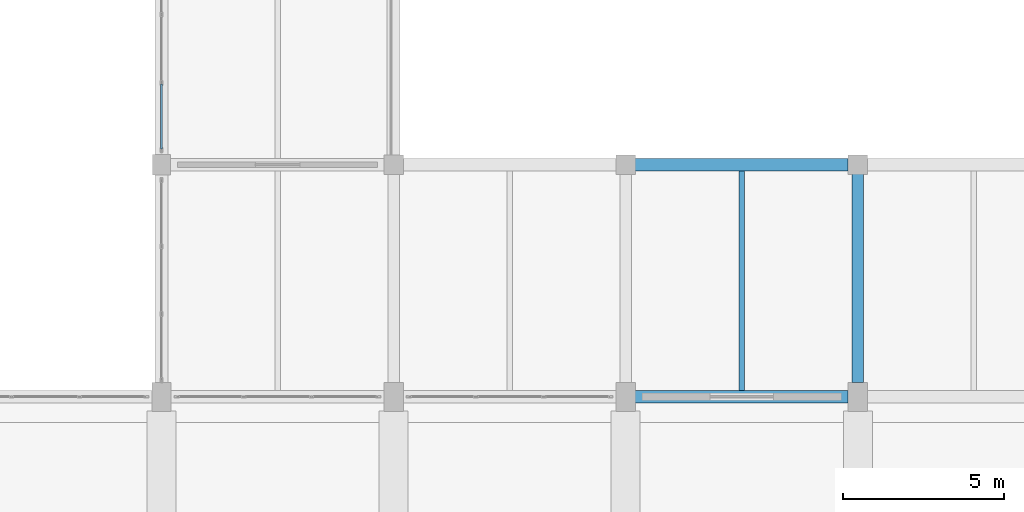
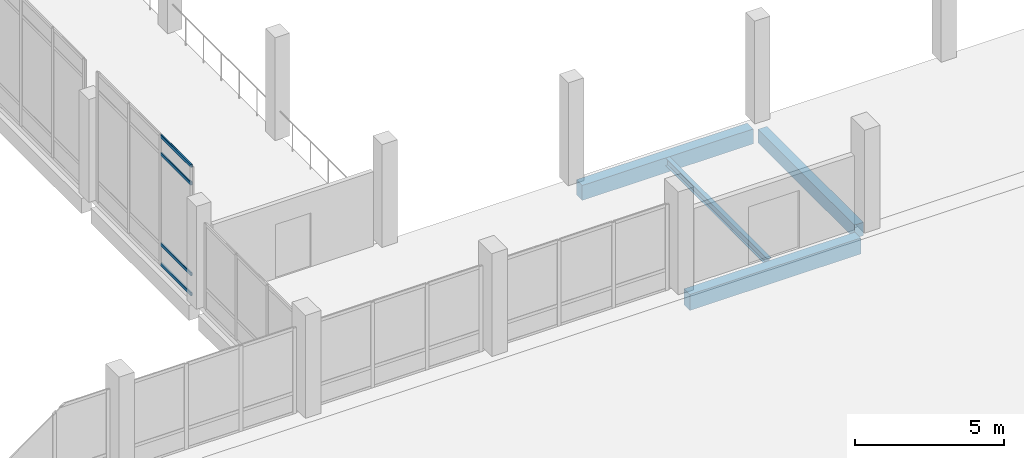
# One storey, part 90 of 158: 4 beams, 4 members, 1 element without a shape of its own.
"""IFC4 building model written with IfcOpenShell, lengths in metres."""

from ifc_helpers import new_model, si_unit, direction, frame, origin, origin_2d, place, context, subcontext, project, spatial, rectangle, hollow_rectangle, i_section, extrude, material, material_profile, profile_set, type_object, element, aggregate, save


model = new_model("IFC4")

# Units and contexts
model_context = context("Model", 3, precision=1e-05, world=origin(), true_north=direction((0.0, 1.0)))
body_context = subcontext(model_context, "Body", "Model", "MODEL_VIEW")
ifc_project = project(units=[si_unit("LENGTHUNIT", "METRE"), si_unit("AREAUNIT", "SQUARE_METRE"), si_unit("VOLUMEUNIT", "CUBIC_METRE"), si_unit("PLANEANGLEUNIT", "RADIAN"), si_unit("MASSUNIT", "GRAM", prefix="KILO")], contexts=[model_context])

# Site, building, storey
site_placement = place(None, origin())
site = spatial("IfcSite", under=ifc_project, at=site_placement, CompositionType="ELEMENT")
building_placement = place(site_placement, origin())
building = spatial("IfcBuilding", under=site, at=building_placement, Name="Lusvemor Sports Hall", CompositionType="ELEMENT")
storey_placement = place(building_placement, frame((0.0, 0.0, 10.800048828125)))
storey = spatial("IfcBuildingStorey", under=building, at=storey_placement, Name="L02", CompositionType="ELEMENT", Elevation=10.800048828125)

# Beams
ifc_material_1 = material(Name="Concrete C40/50", Category="concrete")
ifc_material_profile_1 = material_profile(ifc_material_1, rectangle(XDim=0.35009765625, YDim=0.550048828125, at=origin_2d()), Name="RC350x550")
ifc_profile_set_1 = profile_set([ifc_material_profile_1], Name="Concrete C40/50")
beam_type_1 = type_object("IfcBeamType", Name="BEAM_RC_550", PredefinedType="BEAM", material=ifc_profile_set_1)
beam_1_placement = place(storey_placement, frame((154.800048828125, 40.0458984375, -0.53515625), z_axis=(0.0, 1.0, 0.0), x_axis=(-1.0, 0.0, 0.0)))
element("IfcBeam", 1, at=beam_1_placement, inside=storey, type_object=beam_type_1, Name="Beam L02 18:E-F", PredefinedType="BEAM", context=body_context, shape_type="SweptSolid", body=[
    extrude(rectangle(XDim=0.35009765625, YDim=0.550048828125, at=origin_2d()), origin(), (0.0, 0.0, 1.0), 6.4580078125),
])
ifc_material_2 = material(Name="Concrete C40/50", Category="concrete")
ifc_material_profile_2 = material_profile(ifc_material_2, rectangle(XDim=0.39990234375, YDim=0.64990234375, at=origin_2d()), Name="RC400x650")
ifc_profile_set_2 = profile_set([ifc_material_profile_2], Name="Concrete C40/50")
beam_type_2 = type_object("IfcBeamType", Name="BEAM_RC_650", PredefinedType="BEAM", material=ifc_profile_set_2)
beam_2_placement = place(storey_placement, frame((147.89599609375, 39.60009765625, -0.675048828125), z_axis=(1.0, 0.0, 0.0), x_axis=(0.0, 1.0, 0.0)))
element("IfcBeam", 2, at=beam_2_placement, inside=storey, type_object=beam_type_2, Name="Beam L02 E:17-18", PredefinedType="BEAM", context=body_context, shape_type="SweptSolid", body=[
    extrude(rectangle(XDim=0.39990234375, YDim=0.64990234375, at=origin_2d()), origin(), (0.0, 0.0, 1.0), 6.60791015625),
])

# Curtain wall, members
ifc_material_3 = material(Name="Thermally broken bronze-anodized aluminium", Category="aluminium")
curtain_wall_type = type_object("IfcCurtainWallType", Name="CW_CLIMB_D", PredefinedType="NOTDEFINED", material=ifc_material_3)
curtain_wall_placement = place(storey_placement, origin())
curtain_wall = element("IfcCurtainWall", 3, at=curtain_wall_placement, inside=storey, type_object=curtain_wall_type, Name="Curtain Wall CW-V3W-L02-0", PredefinedType="NOTDEFINED")
ifc_material_4 = material(Name="Thermally broken bronze-anodized aluminium", Category="aluminium")
ifc_material_profile_3 = material_profile(ifc_material_4, hollow_rectangle(XDim=0.06005859375, YDim=0.135009765625, WallThickness=0.00390625, InnerFilletRadius=0.00390625, OuterFilletRadius=0.008056640625, at=origin_2d()), Name="CWTRN135x60x4")
ifc_profile_set_3 = profile_set([ifc_material_profile_3], Name="Thermally broken bronze-anodized aluminium")
member_type = type_object("IfcMemberType", Name="CW_TRN_B", PredefinedType="USERDEFINED", material=ifc_profile_set_3)
member_1_placement = place(storey_placement, frame((133.199951171875, 47.284912109375, 0.030029296875), z_axis=(0.0, 1.0, 0.0), x_axis=(-1.0, 0.0, 0.0)))
member_1 = element("IfcMember", 4, at=member_1_placement, type_object=member_type, Name="CW04 transom 1.1", ObjectType="TRANSOM", PredefinedType="USERDEFINED", context=body_context, shape_type="SweptSolid", body=[
    extrude(hollow_rectangle(XDim=0.06005859375, YDim=0.135009765625, WallThickness=0.00390625, InnerFilletRadius=0.00390625, OuterFilletRadius=0.008056640625, at=origin_2d()), origin(), (0.0, 0.0, 1.0), 2.022705078125),
])
member_2_placement = place(storey_placement, frame((133.199951171875, 47.284912109375, 0.849853515625), z_axis=(0.0, 1.0, 0.0), x_axis=(-1.0, 0.0, 0.0)))
member_2 = element("IfcMember", 5, at=member_2_placement, type_object=member_type, Name="CW04 transom 1.2", ObjectType="TRANSOM", PredefinedType="USERDEFINED", context=body_context, shape_type="SweptSolid", body=[
    extrude(hollow_rectangle(XDim=0.06005859375, YDim=0.135009765625, WallThickness=0.00390625, InnerFilletRadius=0.00390625, OuterFilletRadius=0.008056640625, at=origin_2d()), origin(), (0.0, 0.0, 1.0), 2.022705078125),
])
member_3_placement = place(storey_placement, frame((133.199951171875, 47.284912109375, 4.550048828125), z_axis=(0.0, 1.0, 0.0), x_axis=(-1.0, 0.0, 0.0)))
member_3 = element("IfcMember", 6, at=member_3_placement, type_object=member_type, Name="CW04 transom 1.3", ObjectType="TRANSOM", PredefinedType="USERDEFINED", context=body_context, shape_type="SweptSolid", body=[
    extrude(hollow_rectangle(XDim=0.06005859375, YDim=0.135009765625, WallThickness=0.00390625, InnerFilletRadius=0.00390625, OuterFilletRadius=0.008056640625, at=origin_2d()), origin(), (0.0, 0.0, 1.0), 2.022705078125),
])
member_4_placement = place(storey_placement, frame((133.199951171875, 47.284912109375, 5.27001953125), z_axis=(0.0, 1.0, 0.0), x_axis=(-1.0, 0.0, 0.0)))
member_4 = element("IfcMember", 7, at=member_4_placement, type_object=member_type, Name="CW04 transom 1.4", ObjectType="TRANSOM", PredefinedType="USERDEFINED", context=body_context, shape_type="SweptSolid", body=[
    extrude(hollow_rectangle(XDim=0.06005859375, YDim=0.135009765625, WallThickness=0.00390625, InnerFilletRadius=0.00390625, OuterFilletRadius=0.008056640625, at=origin_2d()), origin(), (0.0, 0.0, 1.0), 2.022705078125),
])
aggregate(curtain_wall, [member_1, member_2, member_3, member_4])

# Beams
ifc_material_5 = material(Name="Steel S355", Category="steel")
ifc_material_profile_4 = material_profile(ifc_material_5, i_section(OverallWidth=0.1669921875, OverallDepth=0.31689453125, WebThickness=0.007568359375, FlangeThickness=0.01318359375, FilletRadius=0.014892578125, at=origin_2d()), Name="W310x52.0")
ifc_profile_set_4 = profile_set([ifc_material_profile_4], Name="Steel S355")
beam_type_3 = type_object("IfcBeamType", Name="JOIST_ST_310M", PredefinedType="JOIST", material=ifc_profile_set_4)
beam_3_placement = place(storey_placement, frame((151.199951171875, 39.7958984375, -0.422607421875), z_axis=(0.0, 1.0, 0.0), x_axis=(-1.0, 0.0, 0.0)))
element("IfcBeam", 8, at=beam_3_placement, inside=storey, type_object=beam_type_3, Name="Secondary Joist L02 17-18/E-F #1", PredefinedType="JOIST", context=body_context, shape_type="SweptSolid", body=[
    extrude(i_section(OverallWidth=0.1669921875, OverallDepth=0.31689453125, WebThickness=0.007568359375, FlangeThickness=0.01318359375, FilletRadius=0.014892578125, at=origin_2d()), origin(), (0.0, 0.0, 1.0), 6.80810546875),
])
ifc_material_6 = material(Name="Concrete C40/50", Category="concrete")
ifc_material_profile_5 = material_profile(ifc_material_6, rectangle(XDim=0.39990234375, YDim=0.610107421875, at=origin_2d()), Name="RC400x610")
ifc_profile_set_5 = profile_set([ifc_material_profile_5], Name="Concrete C40/50")
beam_type_4 = type_object("IfcBeamType", Name="SPAND_EXT_650", PredefinedType="SPANDREL", material=ifc_profile_set_5)
beam_4_placement = place(storey_placement, frame((147.89599609375, 46.800048828125, -0.56494140625), z_axis=(1.0, 0.0, 0.0), x_axis=(0.0, 1.0, 0.0)))
element("IfcBeam", 9, at=beam_4_placement, inside=storey, type_object=beam_type_4, Name="Beam L02 F:17-18", PredefinedType="SPANDREL", context=body_context, shape_type="SweptSolid", body=[
    extrude(rectangle(XDim=0.39990234375, YDim=0.610107421875, at=origin_2d()), origin(), (0.0, 0.0, 1.0), 6.60791015625),
])

save(model, "model.ifc")
